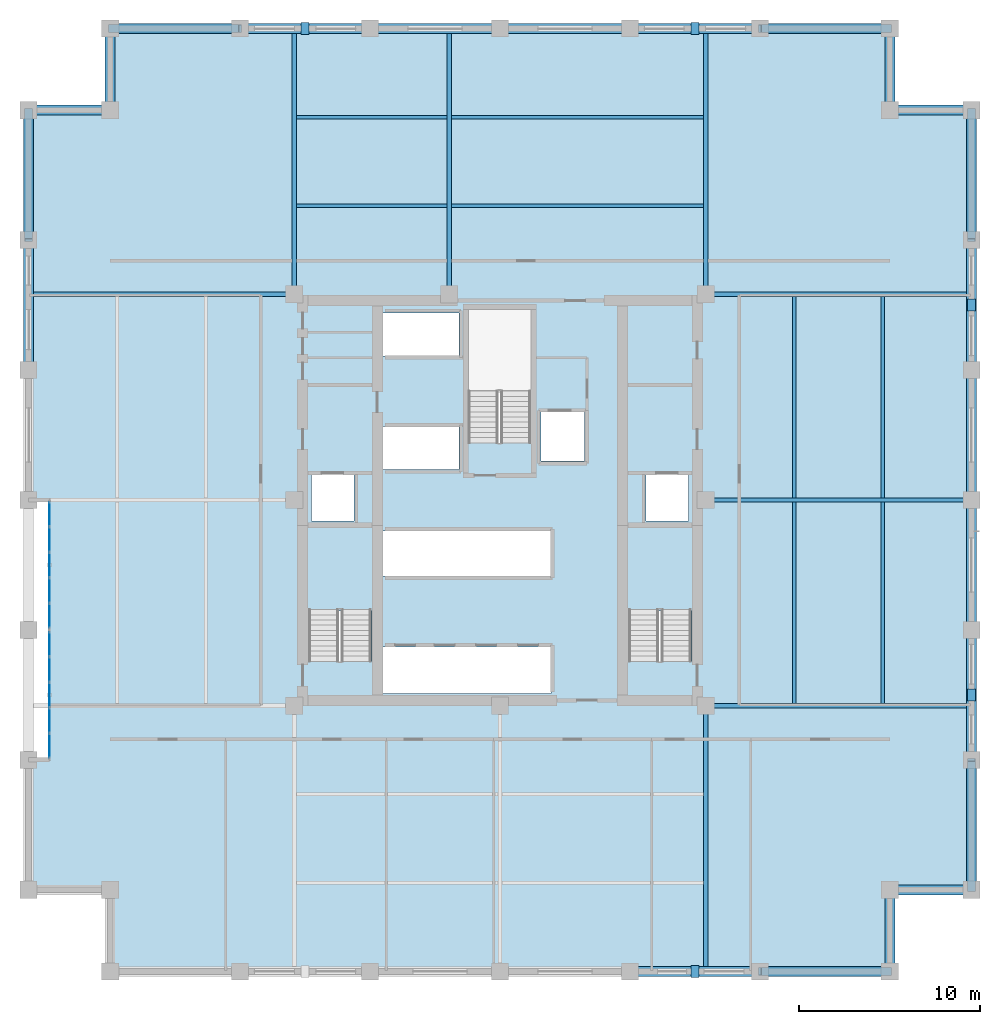
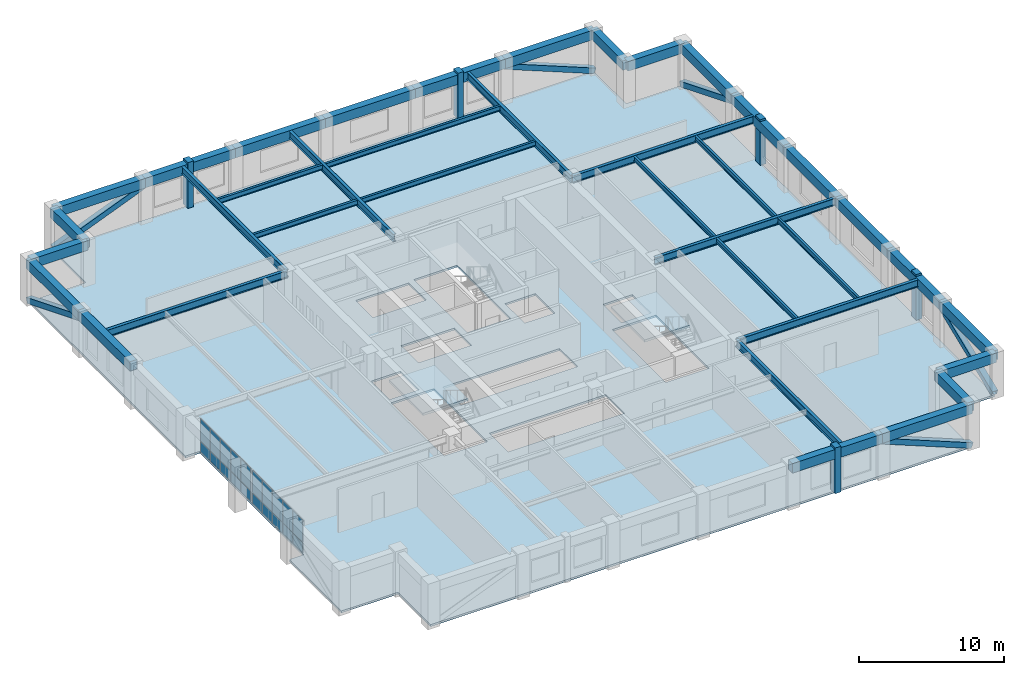
# One storey, part 5 of 12: 38 beams, 20 plates, 11 members, 3 slabs, 4 elements without a shape of their own.
"""IFC4 building model written with IfcOpenShell, lengths in metres."""

from ifc_helpers import new_model, si_unit, direction, frame, origin, origin_2d, place, context, subcontext, project, spatial, polyline, rectangle, hollow_rectangle, i_section, outline, extrude, material, layer, layer_set, material_profile, profile_set, type_object, element, aggregate, save


model = new_model("IFC4")

# Units and contexts
model_context = context("Model", 3, precision=1e-05, world=origin(), true_north=direction((0.0, 1.0)))
body_context = subcontext(model_context, "Body", "Model", "MODEL_VIEW")
ifc_project = project(units=[si_unit("LENGTHUNIT", "METRE"), si_unit("AREAUNIT", "SQUARE_METRE"), si_unit("VOLUMEUNIT", "CUBIC_METRE"), si_unit("PLANEANGLEUNIT", "RADIAN"), si_unit("MASSUNIT", "GRAM", prefix="KILO")], contexts=[model_context])

# Site, building, storey
site_placement = place(None, origin())
site = spatial("IfcSite", under=ifc_project, at=site_placement, CompositionType="ELEMENT")
building_placement = place(site_placement, origin())
building = spatial("IfcBuilding", under=site, at=building_placement, Name="Nhamokura Convention Tower", CompositionType="ELEMENT")
storey_placement = place(building_placement, frame((0.0, 0.0, 164.5)))
storey = spatial("IfcBuildingStorey", under=building, at=storey_placement, Name="L40", CompositionType="ELEMENT", Elevation=164.5)

# Members
ifc_material_1 = material(Name="Bronze-pigmented precast concrete C45/55", Category="concrete")
ifc_material_profile_1 = material_profile(ifc_material_1, rectangle(XDim=0.449951171875, YDim=0.64990234375, at=origin_2d()))
ifc_profile_set_1 = profile_set([ifc_material_profile_1], Name="Bronze-pigmented precast concrete C45/55")
member_type_1 = type_object("IfcMemberType", Name="BronzePilaster_650", PredefinedType="USERDEFINED", material=ifc_profile_set_1)
for number, where, z_axis, x_axis, name in (
    (1, (42.75, 6.0, 0.0), (0.0, 0.0, 1.0), (1.0, 0.0, 0.0), "L40 Engaged Frame Pilaster SOUTH 4"),
    (2, (21.25, 58.0, 0.0), (0.0, 0.0, 1.0), (1.0, 0.0, 0.0), "L40 Engaged Frame Pilaster NORTH 1"),
    (3, (42.75, 58.0, 0.0), (0.0, 0.0, 1.0), (1.0, 0.0, 0.0), "L40 Engaged Frame Pilaster NORTH 4"),
    (4, (58.0, 21.25, 0.0), (0.0, 0.0, 1.0), (1.0, 0.0, 0.0), "L40 Engaged Frame Pilaster EAST 1"),
    (5, (58.0, 42.75, 0.0), (0.0, 0.0, 1.0), (1.0, 0.0, 0.0), "L40 Engaged Frame Pilaster EAST 4"),
):
    element("IfcMember", number, at=place(storey_placement, frame(where, z_axis=z_axis, x_axis=x_axis)), inside=storey, type_object=member_type_1, Name=name, ObjectType="PILASTER_TRIM", PredefinedType="USERDEFINED", context=body_context, shape_type="SweptSolid", body=[
        extrude(rectangle(XDim=0.449951171875, YDim=0.64990234375, at=origin_2d()), origin(), (0.0, 0.0, 1.0), 3.85009765625),
    ])

# Beams
ifc_material_2 = material(Name="Steel ASTM A992 Gr 50", Category="steel")
ifc_material_profile_2 = material_profile(ifc_material_2, i_section(OverallWidth=0.177001953125, OverallDepth=0.403076171875, WebThickness=0.007568359375, FlangeThickness=0.010986328125, at=origin_2d()))
ifc_profile_set_2 = profile_set([ifc_material_profile_2], Name="Steel ASTM A992 Gr 50")
beam_type_1 = type_object("IfcBeamType", Name="FloorJoist_W410X53", PredefinedType="JOIST", material=ifc_profile_set_2)
beam_1_placement = place(storey_placement, frame((20.762939453125, 48.2333984375, 3.4833984375), z_axis=(1.0, 0.0, 0.0), x_axis=(0.0, 1.0, 0.0)))
element("IfcBeam", 6, at=beam_1_placement, inside=storey, type_object=beam_type_1, Name="L40 Composite Floor Joist N1A", PredefinedType="JOIST", context=body_context, shape_type="SweptSolid", body=[
    extrude(i_section(OverallWidth=0.177001953125, OverallDepth=0.403076171875, WebThickness=0.007568359375, FlangeThickness=0.010986328125, at=origin_2d()), origin(), (0.0, 0.0, 1.0), 8.323974609375),
])
beam_2_placement = place(storey_placement, frame((29.31298828125, 48.2333984375, 3.4833984375), z_axis=(1.0, 0.0, 0.0), x_axis=(0.0, 1.0, 0.0)))
element("IfcBeam", 7, at=beam_2_placement, inside=storey, type_object=beam_type_1, Name="L40 Composite Floor Joist N1B", PredefinedType="JOIST", context=body_context, shape_type="SweptSolid", body=[
    extrude(i_section(OverallWidth=0.177001953125, OverallDepth=0.403076171875, WebThickness=0.007568359375, FlangeThickness=0.010986328125, at=origin_2d()), origin(), (0.0, 0.0, 1.0), 13.924072265625),
])
beam_3_placement = place(storey_placement, frame((20.762939453125, 53.11669921875, 3.4833984375), z_axis=(1.0, 0.0, 0.0), x_axis=(0.0, 1.0, 0.0)))
element("IfcBeam", 8, at=beam_3_placement, inside=storey, type_object=beam_type_1, Name="L40 Composite Floor Joist N2A", PredefinedType="JOIST", context=body_context, shape_type="SweptSolid", body=[
    extrude(i_section(OverallWidth=0.177001953125, OverallDepth=0.403076171875, WebThickness=0.007568359375, FlangeThickness=0.010986328125, at=origin_2d()), origin(), (0.0, 0.0, 1.0), 8.323974609375),
])
beam_4_placement = place(storey_placement, frame((29.31298828125, 53.11669921875, 3.4833984375), z_axis=(1.0, 0.0, 0.0), x_axis=(0.0, 1.0, 0.0)))
element("IfcBeam", 9, at=beam_4_placement, inside=storey, type_object=beam_type_1, Name="L40 Composite Floor Joist N2B", PredefinedType="JOIST", context=body_context, shape_type="SweptSolid", body=[
    extrude(i_section(OverallWidth=0.177001953125, OverallDepth=0.403076171875, WebThickness=0.007568359375, FlangeThickness=0.010986328125, at=origin_2d()), origin(), (0.0, 0.0, 1.0), 13.924072265625),
])
for number, where, z_axis, x_axis, name in (
    (10, (48.2333984375, 20.762939453125, 3.4833984375), (0.0, 1.0, 0.0), (-1.0, 0.0, 0.0), "L40 Composite Floor Joist E1A"),
    (11, (48.2333984375, 32.113037109375, 3.4833984375), (0.0, 1.0, 0.0), (-1.0, 0.0, 0.0), "L40 Composite Floor Joist E1B"),
    (12, (53.11669921875, 20.762939453125, 3.4833984375), (0.0, 1.0, 0.0), (-1.0, 0.0, 0.0), "L40 Composite Floor Joist E2A"),
    (13, (53.11669921875, 32.113037109375, 3.4833984375), (0.0, 1.0, 0.0), (-1.0, 0.0, 0.0), "L40 Composite Floor Joist E2B"),
):
    element("IfcBeam", number, at=place(storey_placement, frame(where, z_axis=z_axis, x_axis=x_axis)), inside=storey, type_object=beam_type_1, Name=name, PredefinedType="JOIST", context=body_context, shape_type="SweptSolid", body=[
        extrude(i_section(OverallWidth=0.177001953125, OverallDepth=0.403076171875, WebThickness=0.007568359375, FlangeThickness=0.010986328125, at=origin_2d()), origin(), (0.0, 0.0, 1.0), 11.1240234375),
    ])
ifc_material_3 = material(Name="Steel ASTM A992 Gr 50", Category="steel")
ifc_material_profile_3 = material_profile(ifc_material_3, i_section(OverallWidth=0.22998046875, OverallDepth=0.616943359375, WebThickness=0.01318359375, FlangeThickness=0.022216796875, at=origin_2d()))
ifc_profile_set_3 = profile_set([ifc_material_profile_3], Name="Steel ASTM A992 Gr 50")
beam_type_2 = type_object("IfcBeamType", Name="PrimaryGirder_W610X140", PredefinedType="BEAM", material=ifc_profile_set_3)
for number, where, z_axis, x_axis, name in (
    (14, (43.35009765625, 6.0, 3.37646484375), (0.0, 1.0, 0.0), (-1.0, 0.0, 0.0), "L40 Primary Floor Girder PG-S3"),
    (15, (20.64990234375, 43.35009765625, 3.37646484375), (0.0, 1.0, 0.0), (-1.0, 0.0, 0.0), "L40 Primary Floor Girder PG-N1"),
    (16, (29.199951171875, 43.35009765625, 3.37646484375), (0.0, 1.0, 0.0), (-1.0, 0.0, 0.0), "L40 Primary Floor Girder PG-N2"),
    (17, (43.35009765625, 43.35009765625, 3.37646484375), (0.0, 1.0, 0.0), (-1.0, 0.0, 0.0), "L40 Primary Floor Girder PG-N3"),
    (18, (6.0, 43.35009765625, 3.37646484375), (1.0, 0.0, 0.0), (0.0, 1.0, 0.0), "L40 Primary Floor Girder PG-W3"),
    (19, (43.35009765625, 20.64990234375, 3.37646484375), (1.0, 0.0, 0.0), (0.0, 1.0, 0.0), "L40 Primary Floor Girder PG-E1"),
    (20, (43.35009765625, 32.0, 3.37646484375), (1.0, 0.0, 0.0), (0.0, 1.0, 0.0), "L40 Primary Floor Girder PG-E2"),
    (21, (43.35009765625, 43.35009765625, 3.37646484375), (1.0, 0.0, 0.0), (0.0, 1.0, 0.0), "L40 Primary Floor Girder PG-E3"),
):
    element("IfcBeam", number, at=place(storey_placement, frame(where, z_axis=z_axis, x_axis=x_axis)), inside=storey, type_object=beam_type_2, Name=name, PredefinedType="BEAM", context=body_context, shape_type="SweptSolid", body=[
        extrude(i_section(OverallWidth=0.22998046875, OverallDepth=0.616943359375, WebThickness=0.01318359375, FlangeThickness=0.022216796875, at=origin_2d()), origin(), (0.0, 0.0, 1.0), 14.64990234375),
    ])

# Members
ifc_material_4 = material(Name="Steel ASTM A572 Gr 50", Category="steel")
ifc_material_profile_4 = material_profile(ifc_material_4, hollow_rectangle(XDim=0.449951171875, YDim=0.449951171875, WallThickness=0.02197265625, at=origin_2d()))
ifc_profile_set_4 = profile_set([ifc_material_profile_4], Name="Steel ASTM A572 Gr 50")
member_type_2 = type_object("IfcMemberType", Name="TubeBrace_HSS450", PredefinedType="BRACE", material=ifc_profile_set_4)
for number, where, z_axis, x_axis, name in (
    (22, (53.5, 6.0, 0.14990234375), (-0.927657166893, 0.0, 0.373432966826), (0.0, -1.0, 0.0), "L40 Perimeter Tube Brace SOUTH Bay 5"),
    (23, (10.5, 58.0, 0.14990234375), (0.927657166893, 0.0, 0.373432966826), (0.0, 1.0, 0.0), "L40 Perimeter Tube Brace NORTH Bay 0"),
    (24, (53.5, 58.0, 0.14990234375), (-0.927657166893, 0.0, 0.373432966826), (0.0, -1.0, 0.0), "L40 Perimeter Tube Brace NORTH Bay 5"),
    (25, (6.0, 53.5, 0.14990234375), (0.0, -0.927657166893, 0.373432966826), (1.0, 0.0, 0.0), "L40 Perimeter Tube Brace WEST Bay 5"),
    (26, (58.0, 10.5, 0.14990234375), (0.0, 0.927657166893, 0.373432966826), (-1.0, 0.0, 0.0), "L40 Perimeter Tube Brace EAST Bay 0"),
    (27, (58.0, 53.5, 0.14990234375), (0.0, -0.927657166893, 0.373432966826), (1.0, 0.0, 0.0), "L40 Perimeter Tube Brace EAST Bay 5"),
):
    element("IfcMember", number, at=place(storey_placement, frame(where, z_axis=z_axis, x_axis=x_axis)), inside=storey, type_object=member_type_2, Name=name, PredefinedType="BRACE", context=body_context, shape_type="SweptSolid", body=[
        extrude(hollow_rectangle(XDim=0.449951171875, YDim=0.449951171875, WallThickness=0.02197265625, at=origin_2d()), origin(), (0.0, 0.0, 1.0), 7.7255859375),
    ])

# Beams
ifc_material_5 = material(Name="Concrete C50/60", Category="concrete")
ifc_material_profile_5 = material_profile(ifc_material_5, rectangle(XDim=0.550048828125, YDim=0.800048828125, at=origin_2d()))
ifc_profile_set_5 = profile_set([ifc_material_profile_5], Name="Concrete C50/60")
beam_type_3 = type_object("IfcBeamType", Name="TubeSpandrel_800", PredefinedType="SPANDREL", material=ifc_profile_set_5)
beam_5_placement = place(storey_placement, frame((39.166748046875, 6.0, 3.284912109375), z_axis=(1.0, 0.0, 0.0), x_axis=(0.0, 1.0, 0.0)))
element("IfcBeam", 28, at=beam_5_placement, inside=storey, type_object=beam_type_3, Name="L40 Perimeter Spandrel SOUTH 5", PredefinedType="SPANDREL", context=body_context, shape_type="SweptSolid", body=[
    extrude(rectangle(XDim=0.550048828125, YDim=0.800048828125, at=origin_2d()), origin(), (0.0, 0.0, 1.0), 7.16650390625),
])
for number, where, z_axis, x_axis, name in (
    (29, (46.333251953125, 6.0, 3.284912109375), (1.0, 0.0, 0.0), (0.0, 1.0, 0.0), "L40 Perimeter Spandrel SOUTH 6"),
    (30, (10.5, 58.0, 3.284912109375), (1.0, 0.0, 0.0), (0.0, 1.0, 0.0), "L40 Perimeter Spandrel NORTH 1"),
):
    element("IfcBeam", number, at=place(storey_placement, frame(where, z_axis=z_axis, x_axis=x_axis)), inside=storey, type_object=beam_type_3, Name=name, PredefinedType="SPANDREL", context=body_context, shape_type="SweptSolid", body=[
        extrude(rectangle(XDim=0.550048828125, YDim=0.800048828125, at=origin_2d()), origin(), (0.0, 0.0, 1.0), 7.166748046875),
    ])
beam_6_placement = place(storey_placement, frame((17.666748046875, 58.0, 3.284912109375), z_axis=(1.0, 0.0, 0.0), x_axis=(0.0, 1.0, 0.0)))
element("IfcBeam", 31, at=beam_6_placement, inside=storey, type_object=beam_type_3, Name="L40 Perimeter Spandrel NORTH 2", PredefinedType="SPANDREL", context=body_context, shape_type="SweptSolid", body=[
    extrude(rectangle(XDim=0.550048828125, YDim=0.800048828125, at=origin_2d()), origin(), (0.0, 0.0, 1.0), 7.16650390625),
])
for number, where, z_axis, x_axis, name in (
    (32, (24.833251953125, 58.0, 3.284912109375), (1.0, 0.0, 0.0), (0.0, 1.0, 0.0), "L40 Perimeter Spandrel NORTH 3"),
    (33, (32.0, 58.0, 3.284912109375), (1.0, 0.0, 0.0), (0.0, 1.0, 0.0), "L40 Perimeter Spandrel NORTH 4"),
):
    element("IfcBeam", number, at=place(storey_placement, frame(where, z_axis=z_axis, x_axis=x_axis)), inside=storey, type_object=beam_type_3, Name=name, PredefinedType="SPANDREL", context=body_context, shape_type="SweptSolid", body=[
        extrude(rectangle(XDim=0.550048828125, YDim=0.800048828125, at=origin_2d()), origin(), (0.0, 0.0, 1.0), 7.166748046875),
    ])
beam_7_placement = place(storey_placement, frame((39.166748046875, 58.0, 3.284912109375), z_axis=(1.0, 0.0, 0.0), x_axis=(0.0, 1.0, 0.0)))
element("IfcBeam", 34, at=beam_7_placement, inside=storey, type_object=beam_type_3, Name="L40 Perimeter Spandrel NORTH 5", PredefinedType="SPANDREL", context=body_context, shape_type="SweptSolid", body=[
    extrude(rectangle(XDim=0.550048828125, YDim=0.800048828125, at=origin_2d()), origin(), (0.0, 0.0, 1.0), 7.16650390625),
])
beam_8_placement = place(storey_placement, frame((46.333251953125, 58.0, 3.284912109375), z_axis=(1.0, 0.0, 0.0), x_axis=(0.0, 1.0, 0.0)))
element("IfcBeam", 35, at=beam_8_placement, inside=storey, type_object=beam_type_3, Name="L40 Perimeter Spandrel NORTH 6", PredefinedType="SPANDREL", context=body_context, shape_type="SweptSolid", body=[
    extrude(rectangle(XDim=0.550048828125, YDim=0.800048828125, at=origin_2d()), origin(), (0.0, 0.0, 1.0), 7.166748046875),
])
beam_9_placement = place(storey_placement, frame((6.0, 39.166748046875, 3.284912109375), z_axis=(0.0, 1.0, 0.0), x_axis=(-1.0, 0.0, 0.0)))
element("IfcBeam", 36, at=beam_9_placement, inside=storey, type_object=beam_type_3, Name="L40 Perimeter Spandrel WEST 5", PredefinedType="SPANDREL", context=body_context, shape_type="SweptSolid", body=[
    extrude(rectangle(XDim=0.550048828125, YDim=0.800048828125, at=origin_2d()), origin(), (0.0, 0.0, 1.0), 7.16650390625),
])
for number, where, z_axis, x_axis, name in (
    (37, (6.0, 46.333251953125, 3.284912109375), (0.0, 1.0, 0.0), (-1.0, 0.0, 0.0), "L40 Perimeter Spandrel WEST 6"),
    (38, (58.0, 10.5, 3.284912109375), (0.0, 1.0, 0.0), (-1.0, 0.0, 0.0), "L40 Perimeter Spandrel EAST 1"),
):
    element("IfcBeam", number, at=place(storey_placement, frame(where, z_axis=z_axis, x_axis=x_axis)), inside=storey, type_object=beam_type_3, Name=name, PredefinedType="SPANDREL", context=body_context, shape_type="SweptSolid", body=[
        extrude(rectangle(XDim=0.550048828125, YDim=0.800048828125, at=origin_2d()), origin(), (0.0, 0.0, 1.0), 7.166748046875),
    ])
beam_10_placement = place(storey_placement, frame((58.0, 17.666748046875, 3.284912109375), z_axis=(0.0, 1.0, 0.0), x_axis=(-1.0, 0.0, 0.0)))
element("IfcBeam", 39, at=beam_10_placement, inside=storey, type_object=beam_type_3, Name="L40 Perimeter Spandrel EAST 2", PredefinedType="SPANDREL", context=body_context, shape_type="SweptSolid", body=[
    extrude(rectangle(XDim=0.550048828125, YDim=0.800048828125, at=origin_2d()), origin(), (0.0, 0.0, 1.0), 7.16650390625),
])
for number, where, z_axis, x_axis, name in (
    (40, (58.0, 24.833251953125, 3.284912109375), (0.0, 1.0, 0.0), (-1.0, 0.0, 0.0), "L40 Perimeter Spandrel EAST 3"),
    (41, (58.0, 32.0, 3.284912109375), (0.0, 1.0, 0.0), (-1.0, 0.0, 0.0), "L40 Perimeter Spandrel EAST 4"),
):
    element("IfcBeam", number, at=place(storey_placement, frame(where, z_axis=z_axis, x_axis=x_axis)), inside=storey, type_object=beam_type_3, Name=name, PredefinedType="SPANDREL", context=body_context, shape_type="SweptSolid", body=[
        extrude(rectangle(XDim=0.550048828125, YDim=0.800048828125, at=origin_2d()), origin(), (0.0, 0.0, 1.0), 7.166748046875),
    ])
beam_11_placement = place(storey_placement, frame((58.0, 39.166748046875, 3.284912109375), z_axis=(0.0, 1.0, 0.0), x_axis=(-1.0, 0.0, 0.0)))
element("IfcBeam", 42, at=beam_11_placement, inside=storey, type_object=beam_type_3, Name="L40 Perimeter Spandrel EAST 5", PredefinedType="SPANDREL", context=body_context, shape_type="SweptSolid", body=[
    extrude(rectangle(XDim=0.550048828125, YDim=0.800048828125, at=origin_2d()), origin(), (0.0, 0.0, 1.0), 7.16650390625),
])
beam_12_placement = place(storey_placement, frame((58.0, 46.333251953125, 3.284912109375), z_axis=(0.0, 1.0, 0.0), x_axis=(-1.0, 0.0, 0.0)))
element("IfcBeam", 43, at=beam_12_placement, inside=storey, type_object=beam_type_3, Name="L40 Perimeter Spandrel EAST 6", PredefinedType="SPANDREL", context=body_context, shape_type="SweptSolid", body=[
    extrude(rectangle(XDim=0.550048828125, YDim=0.800048828125, at=origin_2d()), origin(), (0.0, 0.0, 1.0), 7.166748046875),
])
for number, where, z_axis, x_axis, name in (
    (44, (53.5, 6.0, 3.284912109375), (0.0, 1.0, 0.0), (-1.0, 0.0, 0.0), "L40 Notch Spandrel SE1"),
    (45, (53.5, 10.5, 3.284912109375), (1.0, 0.0, 0.0), (0.0, 1.0, 0.0), "L40 Notch Spandrel SE2"),
    (46, (58.0, 53.5, 3.284912109375), (-1.0, 0.0, 0.0), (0.0, -1.0, 0.0), "L40 Notch Spandrel NE1"),
    (47, (53.5, 53.5, 3.284912109375), (0.0, 1.0, 0.0), (-1.0, 0.0, 0.0), "L40 Notch Spandrel NE2"),
    (48, (10.5, 58.0, 3.284912109375), (0.0, -1.0, 0.0), (1.0, 0.0, 0.0), "L40 Notch Spandrel NW1"),
    (49, (10.5, 53.5, 3.284912109375), (-1.0, 0.0, 0.0), (0.0, -1.0, 0.0), "L40 Notch Spandrel NW2"),
):
    element("IfcBeam", number, at=place(storey_placement, frame(where, z_axis=z_axis, x_axis=x_axis)), inside=storey, type_object=beam_type_3, Name=name, PredefinedType="SPANDREL", context=body_context, shape_type="SweptSolid", body=[
        extrude(rectangle(XDim=0.550048828125, YDim=0.800048828125, at=origin_2d()), origin(), (0.0, 0.0, 1.0), 4.5),
    ])

# Curtain wall, plates
ifc_material_6 = material(Name="Anodised bronze aluminium AA6063-T6", Category="aluminium")
ifc_layer_1 = layer(ifc_material_6, 0.159912109375)
ifc_layer_set_1 = layer_set([ifc_layer_1], Name="CWSystem_ScaleSlot_Zone2")
curtain_wall_type = type_object("IfcCurtainWallType", Name="CWSystem_ScaleSlot_Zone2", PredefinedType="NOTDEFINED", material=ifc_layer_set_1)
curtain_wall_1_placement = place(storey_placement, origin())
curtain_wall_1 = element("IfcCurtainWall", 50, at=curtain_wall_1_placement, inside=storey, type_object=curtain_wall_type, Name="L40 Curtain Wall ENV-L40-SLOT-W1", PredefinedType="NOTDEFINED")
ifc_material_7 = material(Name="Solar-control bronze low-E double glass", Category="glass")
ifc_layer_2 = layer(ifc_material_7, 0.035888671875)
ifc_layer_set_2 = layer_set([ifc_layer_2], Name="CWGlazedPanel_2")
plate_type = type_object("IfcPlateType", Name="CWGlazedPanel_2", PredefinedType="CURTAIN_PANEL", material=ifc_layer_set_2)
plate_1_placement = place(storey_placement, frame((7.14990234375, 18.447509765625, 0.06494140625), z_axis=(0.0, 0.0, 1.0), x_axis=(0.0, 1.0, 0.0)))
plate_1 = element("IfcPlate", 51, at=plate_1_placement, type_object=plate_type, Name="CW-04 panel 1.1", PredefinedType="CURTAIN_PANEL", context=body_context, shape_type="SweptSolid", body=[
    extrude(rectangle(XDim=1.311767578125, YDim=0.035888671875, at=origin_2d()), origin(), (0.0, 0.0, 1.0), 0.8525390625),
])
plate_2_placement = place(storey_placement, frame((7.14990234375, 18.447509765625, 0.982666015625), z_axis=(0.0, 0.0, 1.0), x_axis=(0.0, 1.0, 0.0)))
plate_2 = element("IfcPlate", 52, at=plate_2_placement, type_object=plate_type, Name="CW-04 panel 1.2", PredefinedType="CURTAIN_PANEL", context=body_context, shape_type="SweptSolid", body=[
    extrude(rectangle(XDim=1.311767578125, YDim=0.035888671875, at=origin_2d()), origin(), (0.0, 0.0, 1.0), 1.83740234375),
])
plate_3_placement = place(storey_placement, frame((7.14990234375, 19.840576171875, 0.06494140625), z_axis=(0.0, 0.0, 1.0), x_axis=(0.0, 1.0, 0.0)))
plate_3 = element("IfcPlate", 53, at=plate_3_placement, type_object=plate_type, Name="CW-04 panel 2.1", PredefinedType="CURTAIN_PANEL", context=body_context, shape_type="SweptSolid", body=[
    extrude(rectangle(XDim=1.34423828125, YDim=0.035888671875, at=origin_2d()), origin(), (0.0, 0.0, 1.0), 0.8525390625),
])
plate_4_placement = place(storey_placement, frame((7.14990234375, 19.840576171875, 0.982666015625), z_axis=(0.0, 0.0, 1.0), x_axis=(0.0, 1.0, 0.0)))
plate_4 = element("IfcPlate", 54, at=plate_4_placement, type_object=plate_type, Name="CW-04 panel 2.2", PredefinedType="CURTAIN_PANEL", context=body_context, shape_type="SweptSolid", body=[
    extrude(rectangle(XDim=1.34423828125, YDim=0.035888671875, at=origin_2d()), origin(), (0.0, 0.0, 1.0), 1.83740234375),
])
plate_5_placement = place(storey_placement, frame((7.14990234375, 21.25, 0.06494140625), z_axis=(0.0, 0.0, 1.0), x_axis=(0.0, 1.0, 0.0)))
plate_5 = element("IfcPlate", 55, at=plate_5_placement, type_object=plate_type, Name="CW-04 panel 3.1", PredefinedType="CURTAIN_PANEL", context=body_context, shape_type="SweptSolid", body=[
    extrude(rectangle(XDim=1.34423828125, YDim=0.035888671875, at=origin_2d()), origin(), (0.0, 0.0, 1.0), 0.8525390625),
])
plate_6_placement = place(storey_placement, frame((7.14990234375, 21.25, 0.982666015625), z_axis=(0.0, 0.0, 1.0), x_axis=(0.0, 1.0, 0.0)))
plate_6 = element("IfcPlate", 56, at=plate_6_placement, type_object=plate_type, Name="CW-04 panel 3.2", PredefinedType="CURTAIN_PANEL", context=body_context, shape_type="SweptSolid", body=[
    extrude(rectangle(XDim=1.34423828125, YDim=0.035888671875, at=origin_2d()), origin(), (0.0, 0.0, 1.0), 1.83740234375),
])
plate_7_placement = place(storey_placement, frame((7.14990234375, 22.659423828125, 0.06494140625), z_axis=(0.0, 0.0, 1.0), x_axis=(0.0, 1.0, 0.0)))
plate_7 = element("IfcPlate", 57, at=plate_7_placement, type_object=plate_type, Name="CW-04 panel 4.1", PredefinedType="CURTAIN_PANEL", context=body_context, shape_type="SweptSolid", body=[
    extrude(rectangle(XDim=1.34423828125, YDim=0.035888671875, at=origin_2d()), origin(), (0.0, 0.0, 1.0), 0.8525390625),
])
plate_8_placement = place(storey_placement, frame((7.14990234375, 22.659423828125, 0.982666015625), z_axis=(0.0, 0.0, 1.0), x_axis=(0.0, 1.0, 0.0)))
plate_8 = element("IfcPlate", 58, at=plate_8_placement, type_object=plate_type, Name="CW-04 panel 4.2", PredefinedType="CURTAIN_PANEL", context=body_context, shape_type="SweptSolid", body=[
    extrude(rectangle(XDim=1.34423828125, YDim=0.035888671875, at=origin_2d()), origin(), (0.0, 0.0, 1.0), 1.83740234375),
])
plate_9_placement = place(storey_placement, frame((7.14990234375, 24.052490234375, 0.06494140625), z_axis=(0.0, 0.0, 1.0), x_axis=(0.0, 1.0, 0.0)))
plate_9 = element("IfcPlate", 59, at=plate_9_placement, type_object=plate_type, Name="CW-04 panel 5.1", PredefinedType="CURTAIN_PANEL", context=body_context, shape_type="SweptSolid", body=[
    extrude(rectangle(XDim=1.311767578125, YDim=0.035888671875, at=origin_2d()), origin(), (0.0, 0.0, 1.0), 0.8525390625),
])
plate_10_placement = place(storey_placement, frame((7.14990234375, 24.052490234375, 0.982666015625), z_axis=(0.0, 0.0, 1.0), x_axis=(0.0, 1.0, 0.0)))
plate_10 = element("IfcPlate", 60, at=plate_10_placement, type_object=plate_type, Name="CW-04 panel 5.2", PredefinedType="CURTAIN_PANEL", context=body_context, shape_type="SweptSolid", body=[
    extrude(rectangle(XDim=1.311767578125, YDim=0.035888671875, at=origin_2d()), origin(), (0.0, 0.0, 1.0), 1.83740234375),
])
aggregate(curtain_wall_1, [plate_1, plate_2, plate_3, plate_4, plate_5, plate_6, plate_7, plate_8, plate_9, plate_10])

curtain_wall_2_placement = place(storey_placement, origin())
curtain_wall_2 = element("IfcCurtainWall", 61, at=curtain_wall_2_placement, inside=storey, type_object=curtain_wall_type, Name="L40 Curtain Wall ENV-L40-SLOT-W2", PredefinedType="NOTDEFINED")
plate_11_placement = place(storey_placement, frame((7.14990234375, 25.6142578125, 0.06494140625), z_axis=(0.0, 0.0, 1.0), x_axis=(0.0, 1.0, 0.0)))
plate_11 = element("IfcPlate", 62, at=plate_11_placement, type_object=plate_type, Name="CW-04 panel 1.1", PredefinedType="CURTAIN_PANEL", context=body_context, shape_type="SweptSolid", body=[
    extrude(rectangle(XDim=1.311767578125, YDim=0.035888671875, at=origin_2d()), origin(), (0.0, 0.0, 1.0), 0.8525390625),
])
plate_12_placement = place(storey_placement, frame((7.14990234375, 25.6142578125, 0.982666015625), z_axis=(0.0, 0.0, 1.0), x_axis=(0.0, 1.0, 0.0)))
plate_12 = element("IfcPlate", 63, at=plate_12_placement, type_object=plate_type, Name="CW-04 panel 1.2", PredefinedType="CURTAIN_PANEL", context=body_context, shape_type="SweptSolid", body=[
    extrude(rectangle(XDim=1.311767578125, YDim=0.035888671875, at=origin_2d()), origin(), (0.0, 0.0, 1.0), 1.83740234375),
])
plate_13_placement = place(storey_placement, frame((7.14990234375, 27.00732421875, 0.06494140625), z_axis=(0.0, 0.0, 1.0), x_axis=(0.0, 1.0, 0.0)))
plate_13 = element("IfcPlate", 64, at=plate_13_placement, type_object=plate_type, Name="CW-04 panel 2.1", PredefinedType="CURTAIN_PANEL", context=body_context, shape_type="SweptSolid", body=[
    extrude(rectangle(XDim=1.34423828125, YDim=0.035888671875, at=origin_2d()), origin(), (0.0, 0.0, 1.0), 0.8525390625),
])
plate_14_placement = place(storey_placement, frame((7.14990234375, 27.00732421875, 0.982666015625), z_axis=(0.0, 0.0, 1.0), x_axis=(0.0, 1.0, 0.0)))
plate_14 = element("IfcPlate", 65, at=plate_14_placement, type_object=plate_type, Name="CW-04 panel 2.2", PredefinedType="CURTAIN_PANEL", context=body_context, shape_type="SweptSolid", body=[
    extrude(rectangle(XDim=1.34423828125, YDim=0.035888671875, at=origin_2d()), origin(), (0.0, 0.0, 1.0), 1.83740234375),
])
plate_15_placement = place(storey_placement, frame((7.14990234375, 28.416748046875, 0.06494140625), z_axis=(0.0, 0.0, 1.0), x_axis=(0.0, 1.0, 0.0)))
plate_15 = element("IfcPlate", 66, at=plate_15_placement, type_object=plate_type, Name="CW-04 panel 3.1", PredefinedType="CURTAIN_PANEL", context=body_context, shape_type="SweptSolid", body=[
    extrude(rectangle(XDim=1.34423828125, YDim=0.035888671875, at=origin_2d()), origin(), (0.0, 0.0, 1.0), 0.8525390625),
])
plate_16_placement = place(storey_placement, frame((7.14990234375, 28.416748046875, 0.982666015625), z_axis=(0.0, 0.0, 1.0), x_axis=(0.0, 1.0, 0.0)))
plate_16 = element("IfcPlate", 67, at=plate_16_placement, type_object=plate_type, Name="CW-04 panel 3.2", PredefinedType="CURTAIN_PANEL", context=body_context, shape_type="SweptSolid", body=[
    extrude(rectangle(XDim=1.34423828125, YDim=0.035888671875, at=origin_2d()), origin(), (0.0, 0.0, 1.0), 1.83740234375),
])
plate_17_placement = place(storey_placement, frame((7.14990234375, 29.825927734375, 0.06494140625), z_axis=(0.0, 0.0, 1.0), x_axis=(0.0, 1.0, 0.0)))
plate_17 = element("IfcPlate", 68, at=plate_17_placement, type_object=plate_type, Name="CW-04 panel 4.1", PredefinedType="CURTAIN_PANEL", context=body_context, shape_type="SweptSolid", body=[
    extrude(rectangle(XDim=1.34423828125, YDim=0.035888671875, at=origin_2d()), origin(), (0.0, 0.0, 1.0), 0.8525390625),
])
plate_18_placement = place(storey_placement, frame((7.14990234375, 29.825927734375, 0.982666015625), z_axis=(0.0, 0.0, 1.0), x_axis=(0.0, 1.0, 0.0)))
plate_18 = element("IfcPlate", 69, at=plate_18_placement, type_object=plate_type, Name="CW-04 panel 4.2", PredefinedType="CURTAIN_PANEL", context=body_context, shape_type="SweptSolid", body=[
    extrude(rectangle(XDim=1.34423828125, YDim=0.035888671875, at=origin_2d()), origin(), (0.0, 0.0, 1.0), 1.83740234375),
])
plate_19_placement = place(storey_placement, frame((7.14990234375, 31.218994140625, 0.06494140625), z_axis=(0.0, 0.0, 1.0), x_axis=(0.0, 1.0, 0.0)))
plate_19 = element("IfcPlate", 70, at=plate_19_placement, type_object=plate_type, Name="CW-04 panel 5.1", PredefinedType="CURTAIN_PANEL", context=body_context, shape_type="SweptSolid", body=[
    extrude(rectangle(XDim=1.311767578125, YDim=0.035888671875, at=origin_2d()), origin(), (0.0, 0.0, 1.0), 0.8525390625),
])
plate_20_placement = place(storey_placement, frame((7.14990234375, 31.218994140625, 0.982666015625), z_axis=(0.0, 0.0, 1.0), x_axis=(0.0, 1.0, 0.0)))
plate_20 = element("IfcPlate", 71, at=plate_20_placement, type_object=plate_type, Name="CW-04 panel 5.2", PredefinedType="CURTAIN_PANEL", context=body_context, shape_type="SweptSolid", body=[
    extrude(rectangle(XDim=1.311767578125, YDim=0.035888671875, at=origin_2d()), origin(), (0.0, 0.0, 1.0), 1.83740234375),
])
aggregate(curtain_wall_2, [plate_11, plate_12, plate_13, plate_14, plate_15, plate_16, plate_17, plate_18, plate_19, plate_20])

# Slab
ifc_material_8 = material(Name="Concrete C40/50", Category="concrete")
ifc_layer_3 = layer(ifc_material_8, 0.1650390625)
ifc_layer_set_3 = layer_set([ifc_layer_3], Name="OfficeFloorSlab_165")
slab_type_1 = type_object("IfcSlabType", Name="OfficeFloorSlab_165", PredefinedType="FLOOR", material=ifc_layer_set_3)
slab_1_placement = place(storey_placement, frame((0.0, 0.0, -0.1650390625)))
element("IfcSlab", 72, at=slab_1_placement, inside=storey, type_object=slab_type_1, Name="L40 Structural Floor Slab", PredefinedType="FLOOR", context=body_context, shape_type="SweptSolid", body=[
    extrude(outline(polyline([(10.5, 6.0), (53.5, 6.0), (53.5, 10.5), (58.0, 10.5), (58.0, 53.5), (53.5, 53.5), (53.5, 58.0), (10.5, 58.0), (10.5, 53.5), (6.0, 53.5), (6.0, 32.0), (7.14990234375, 32.0), (7.14990234375, 17.666748046875), (6.0, 17.666748046875), (6.0, 10.5), (10.5, 10.5), (10.5, 6.0)]), holes=[polyline([(24.89990234375, 23.10009765625), (24.89990234375, 30.449951171875), (21.449951171875, 30.449951171875), (21.449951171875, 23.10009765625), (24.89990234375, 23.10009765625)]), polyline([(42.550048828125, 23.10009765625), (42.550048828125, 30.449951171875), (39.10009765625, 30.449951171875), (39.10009765625, 23.10009765625), (42.550048828125, 23.10009765625)]), polyline([(33.699951171875, 35.14990234375), (33.699951171875, 42.5), (30.25, 42.5), (30.25, 35.14990234375), (33.699951171875, 35.14990234375)]), polyline([(21.60009765625, 30.85009765625), (23.949951171875, 30.85009765625), (23.949951171875, 33.39990234375), (21.60009765625, 33.39990234375), (21.60009765625, 30.85009765625)]), polyline([(40.050048828125, 30.85009765625), (42.39990234375, 30.85009765625), (42.39990234375, 33.39990234375), (40.050048828125, 33.39990234375), (40.050048828125, 30.85009765625)]), polyline([(34.25, 34.14990234375), (36.64990234375, 34.14990234375), (36.64990234375, 36.85009765625), (34.25, 36.85009765625), (34.25, 34.14990234375)]), polyline([(25.52001953125, 21.320068359375), (34.800048828125, 21.320068359375), (34.800048828125, 23.89990234375), (25.52001953125, 23.89990234375), (25.52001953125, 21.320068359375)]), polyline([(25.52001953125, 27.800048828125), (34.800048828125, 27.800048828125), (34.800048828125, 30.300048828125), (25.52001953125, 30.300048828125), (25.52001953125, 27.800048828125)]), polyline([(25.52001953125, 33.679931640625), (29.75, 33.679931640625), (29.75, 36.050048828125), (25.52001953125, 36.050048828125), (25.52001953125, 33.679931640625)]), polyline([(25.52001953125, 39.949951171875), (29.75, 39.949951171875), (29.75, 42.320068359375), (25.52001953125, 42.320068359375), (25.52001953125, 39.949951171875)])]), origin(), (0.0, 0.0, 1.0), 0.1650390625),
])

# Stair, slab
ifc_material_9 = material(Name="Concrete C40/50", Category="concrete")
stair_type = type_object("IfcStairType", Name="TowerCoreStair_1650", PredefinedType="HALF_TURN_STAIR", material=ifc_material_9)
stair_1_placement = place(storey_placement, origin())
stair_1 = element("IfcStair", 73, at=stair_1_placement, inside=storey, type_object=stair_type, Name="L40 West Core Smokeproof Stair ST-01", PredefinedType="HALF_TURN_STAIR")
ifc_material_10 = material(Name="Concrete C40/50", Category="concrete")
ifc_layer_4 = layer(ifc_material_10, 0.199951171875)
ifc_layer_set_4 = layer_set([ifc_layer_4], Name="StairLandingSlab_200")
slab_type_2 = type_object("IfcSlabType", Name="StairLandingSlab_200", PredefinedType="LANDING", material=ifc_layer_set_4)
slab_2_placement = place(storey_placement, frame((0.0, 0.0, 1.72509765625)))
slab_2 = element("IfcSlab", 74, at=slab_2_placement, type_object=slab_type_2, Name="ST-01 landing 1", PredefinedType="LANDING", context=body_context, shape_type="SweptSolid", body=[
    extrude(outline(polyline([(24.97998046875, 25.8701171875), (24.97998046875, 30.530029296875), (21.3701171875, 30.530029296875), (21.3701171875, 25.8701171875), (24.97998046875, 25.8701171875)])), origin(), (0.0, 0.0, 1.0), 0.199951171875),
])
aggregate(stair_1, [slab_2])

stair_2_placement = place(storey_placement, origin())
stair_2 = element("IfcStair", 75, at=stair_2_placement, inside=storey, type_object=stair_type, Name="L40 East Core Smokeproof Stair ST-02", PredefinedType="HALF_TURN_STAIR")
slab_3_placement = place(storey_placement, frame((0.0, 0.0, 1.72509765625)))
slab_3 = element("IfcSlab", 76, at=slab_3_placement, type_object=slab_type_2, Name="ST-02 landing 1", PredefinedType="LANDING", context=body_context, shape_type="SweptSolid", body=[
    extrude(outline(polyline([(42.6298828125, 25.8701171875), (42.6298828125, 30.530029296875), (39.02001953125, 30.530029296875), (39.02001953125, 25.8701171875), (42.6298828125, 25.8701171875)])), origin(), (0.0, 0.0, 1.0), 0.199951171875),
])
aggregate(stair_2, [slab_3])

save(model, "model.ifc")
